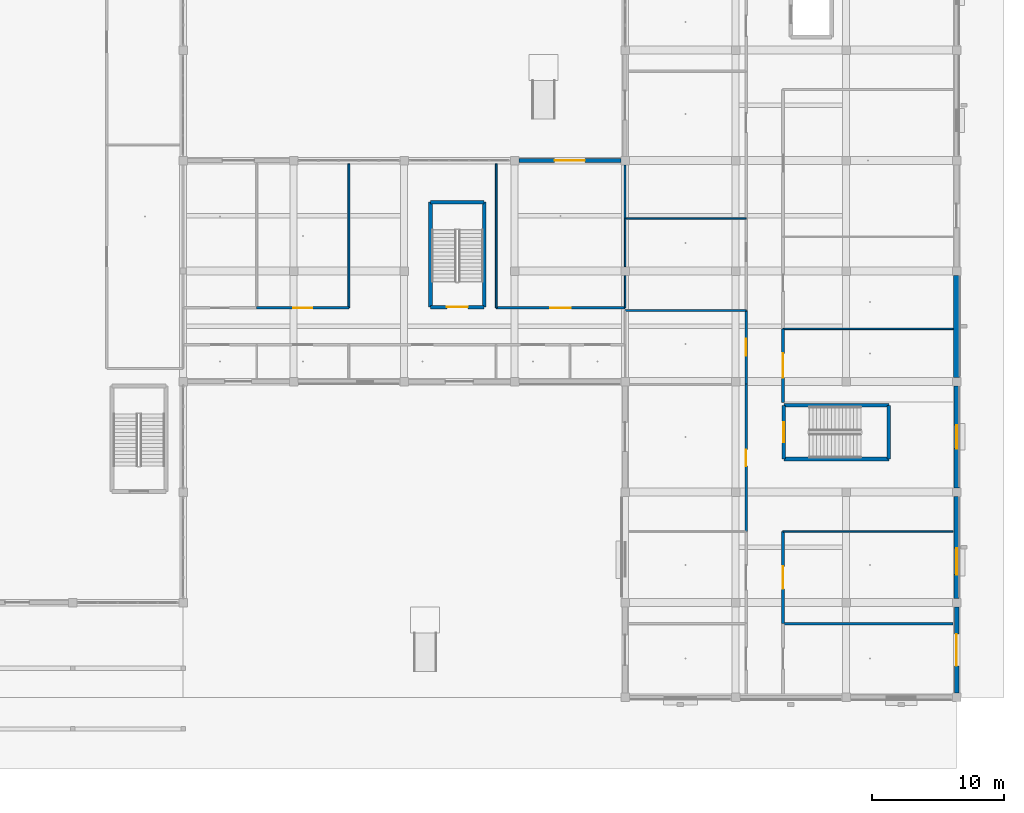
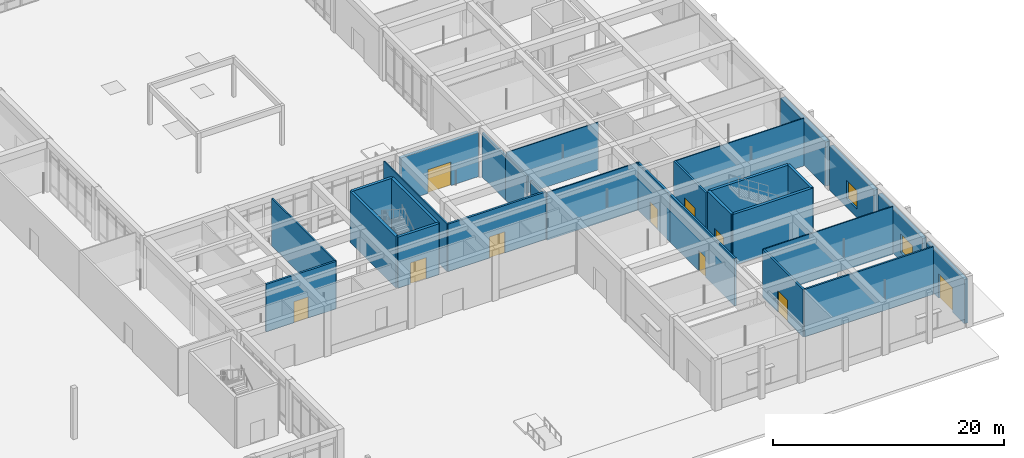
# One storey, part 74 of 167: 29 walls, 10 doors, 2 windows, 12 openings.
"""IFC4 building model written with IfcOpenShell, lengths in metres."""

import ifcopenshell
import ifcopenshell.guid

model = None  # the IFC model being written
_history = None  # IfcOwnerHistory: only IFC2X3 demands one
_inside = {}  # id of a spatial element -> (the spatial element, [elements in it])
_under = {}  # id of a project, library or spatial element -> (it, [spatial elements below it])
_declared = {}  # id of a project -> (the project, [libraries it declares])
_typed = {}  # id of a type object -> (the type object, [elements of that type])
_made_of = {}  # id of a material, layer set ... -> (it, [elements and type objects made of it])


def new_model(schema):
    """Start an empty IFC model of exactly this schema.

    Asked for "IFC4X3", IfcOpenShell would pick the latest addendum, in which some entities
    have other attributes; the version numbers below select the first issue.
    IFC2X3 requires an IfcOwnerHistory on every rooted entity: one is made here for all.
    """
    global model, _history
    if schema == "IFC4X3":
        model = ifcopenshell.file(schema_version=(4, 3, 0, 0))
    else:
        model = ifcopenshell.file(schema=schema)
    _inside.clear()
    _under.clear()
    _declared.clear()
    _typed.clear()
    _made_of.clear()
    _history = None
    if model.schema == "IFC2X3":
        org = make("IfcOrganization", Name="unknown")
        user = make(
            "IfcPersonAndOrganization",
            ThePerson=make("IfcPerson", FamilyName="unknown"),
            TheOrganization=org,
        )
        app = make(
            "IfcApplication",
            ApplicationDeveloper=org,
            Version="unknown",
            ApplicationFullName="unknown",
            ApplicationIdentifier="unknown",
        )
        _history = make(
            "IfcOwnerHistory",
            OwningUser=user,
            OwningApplication=app,
            ChangeAction="ADDED",
            CreationDate=0,
        )
    return model


def make(cls, **values):
    """One entity of the class cls with the attributes given. An attribute that is None is left unset."""
    return model.create_entity(
        cls, **{name: value for name, value in values.items() if value is not None}
    )


def rooted(cls, **values):
    """An entity with a GlobalId (a new one), such as an element, a storey or a relation."""
    return make(cls, GlobalId=ifcopenshell.guid.new(), OwnerHistory=_history, **values)


def si_unit(unit_type, name, prefix=None):
    """IfcSIUnit, for example si_unit("LENGTHUNIT", "METRE", prefix="MILLI")."""
    return make("IfcSIUnit", UnitType=unit_type, Prefix=prefix, Name=name)


def assignment(units):
    """IfcUnitAssignment: the units of a project."""
    return None if units is None else make("IfcUnitAssignment", Units=units)


def point(xyz):
    """IfcCartesianPoint."""
    return None if xyz is None else make("IfcCartesianPoint", Coordinates=xyz)


def direction(xyz):
    """IfcDirection."""
    return None if xyz is None else make("IfcDirection", DirectionRatios=xyz)


def frame(location, z_axis=None, x_axis=None):
    """IfcAxis2Placement3D, a coordinate frame: its origin and axes. An axis left out is left unset."""
    return make(
        "IfcAxis2Placement3D",
        Location=point(location),
        Axis=direction(z_axis),
        RefDirection=direction(x_axis),
    )


def frame_2d(location, x_axis=None):
    """IfcAxis2Placement2D, a coordinate frame in the plane: its origin and x axis."""
    return make(
        "IfcAxis2Placement2D", Location=point(location), RefDirection=direction(x_axis)
    )


def origin():
    """The frame at (0, 0, 0) with its axes left unset."""
    return frame((0.0, 0.0, 0.0))


def place(relative_to, where):
    """IfcLocalPlacement: puts the frame where relative to a parent placement (None: the world)."""
    return make(
        "IfcLocalPlacement", PlacementRelTo=relative_to, RelativePlacement=where
    )


def context(
    kind, dimensions, precision=None, world=None, true_north=None, identifier=None
):
    """IfcGeometricRepresentationContext, for example the 3D "Model" context."""
    return make(
        "IfcGeometricRepresentationContext",
        ContextIdentifier=identifier,
        ContextType=kind,
        CoordinateSpaceDimension=dimensions,
        Precision=precision,
        WorldCoordinateSystem=world,
        TrueNorth=true_north,
    )


def subcontext(parent, identifier, kind, view, scale=None):
    """IfcGeometricRepresentationSubContext, for example "Body" below "Model"."""
    return make(
        "IfcGeometricRepresentationSubContext",
        ContextIdentifier=identifier,
        ContextType=kind,
        ParentContext=parent,
        TargetScale=scale,
        TargetView=view,
    )


def project(units=None, contexts=None):
    """IfcProject with its units and contexts."""
    return rooted(
        "IfcProject",
        Name="project",
        RepresentationContexts=contexts,
        UnitsInContext=assignment(units),
    )


def spatial(cls, under=None, at=None, **own):
    """A site, building, storey or space (cls), placed at a placement, below another one or the project."""
    s = rooted(cls, ObjectPlacement=at, **own)
    if under is not None:
        _under.setdefault(under.id(), (under, []))[1].append(s)
    return s


def profile(cls, at=None, kind="AREA", **sizes):
    """A parametric profile (cls). Its sizes go by their IFC names, for example OverallWidth=200.0."""
    return make(cls, ProfileType=kind, Position=at, **sizes)


def rectangle(**sizes):
    """IfcRectangleProfileDef."""
    return profile("IfcRectangleProfileDef", **sizes)


def extrude(swept, where, along, depth):
    """IfcExtrudedAreaSolid: the profile swept, set in the frame where, extruded along a direction by depth."""
    return make(
        "IfcExtrudedAreaSolid",
        SweptArea=swept,
        Position=where,
        ExtrudedDirection=direction(along),
        Depth=depth,
    )


def shape(context_of_items, identifier, shape_type, items):
    """IfcShapeRepresentation: the items that make up one representation, for example the "Body"."""
    return make(
        "IfcShapeRepresentation",
        ContextOfItems=context_of_items,
        RepresentationIdentifier=identifier,
        RepresentationType=shape_type,
        Items=items,
    )


def material(Name=None, Category=None):
    """IfcMaterial."""
    return make("IfcMaterial", Name=Name, Category=Category)


def layer(
    of_material, thickness, ventilated=None, Name=None, Category=None, Priority=None
):
    """IfcMaterialLayer: one layer of a wall or slab, of a material (None: an air gap)."""
    return make(
        "IfcMaterialLayer",
        Material=of_material,
        LayerThickness=thickness,
        IsVentilated=ventilated,
        Name=Name,
        Category=Category,
        Priority=Priority,
    )


def layer_set(layers, Name=None):
    """IfcMaterialLayerSet."""
    return make("IfcMaterialLayerSet", MaterialLayers=layers, LayerSetName=Name)


def made_of(thing, what):
    """Note that an element or type object is made of a material, layer set ...; save() writes the relation."""
    if what is not None:
        _made_of.setdefault(what.id(), (what, []))[1].append(thing)
    return thing


def type_object(cls, material=None, **own):
    """A type object (cls), such as IfcWallType, which elements share."""
    return made_of(rooted(cls, **own), material)


def element(
    cls,
    number,
    at=None,
    inside=None,
    cuts=None,
    type_object=None,
    material=None,
    context=None,
    identifier="Body",
    shape_type=None,
    held_by="IfcProductDefinitionShape",
    body=None,
    shapes=None,
    **own,
):
    """One element of the class cls, such as IfcWall. Its Tag is "e" and its number.

    at: its placement. inside: the storey or other place that contains it. cuts: it is an
    opening in that element (IfcRelVoidsElement). A single representation is given by context,
    identifier, shape_type and body (its items); several are given by shapes. held_by: the class
    of the entity that holds the representations. save() writes the other relations.
    """
    e = rooted(cls, Tag="e%d" % number, ObjectPlacement=at, **own)
    if body is not None:
        shapes = [shape(context, identifier, shape_type, body)]
    if shapes is not None:
        e.Representation = make(held_by, Representations=shapes)
    if inside is not None:
        _inside.setdefault(inside.id(), (inside, []))[1].append(e)
    if cuts is not None:
        rooted(
            "IfcRelVoidsElement", RelatingBuildingElement=cuts, RelatedOpeningElement=e
        )
    if type_object is not None:
        _typed.setdefault(type_object.id(), (type_object, []))[1].append(e)
    return made_of(e, material)


def fill(opening, filler):
    """IfcRelFillsElement: the door or window that sits in an opening."""
    return rooted(
        "IfcRelFillsElement",
        RelatingOpeningElement=opening,
        RelatedBuildingElement=filler,
    )


def aggregate(whole, parts):
    """IfcRelAggregates: a whole, such as a stair, and the parts it consists of."""
    return rooted("IfcRelAggregates", RelatingObject=whole, RelatedObjects=parts)


def save(model, path):
    """Write the relations noted so far, then the file.

    IfcRelAggregates (storeys below a building ...), IfcRelContainedInSpatialStructure (elements
    in a storey), IfcRelDefinesByType, IfcRelAssociatesMaterial and IfcRelDeclares: one each for
    every whole, place, type object, material and project.
    """
    for whole, parts in _under.values():
        aggregate(whole, parts)
    for where, things in _inside.values():
        rooted(
            "IfcRelContainedInSpatialStructure",
            RelatedElements=things,
            RelatingStructure=where,
        )
    for kind, things in _typed.values():
        rooted("IfcRelDefinesByType", RelatedObjects=things, RelatingType=kind)
    for what, things in _made_of.values():
        rooted("IfcRelAssociatesMaterial", RelatedObjects=things, RelatingMaterial=what)
    for by, libraries in _declared.values():
        rooted("IfcRelDeclares", RelatingContext=by, RelatedDefinitions=libraries)
    model.write(path)


model = new_model("IFC4")

# Units and contexts
model_context = context("Model", 3, precision=1e-05, world=origin(), true_north=direction((0.0, 1.0)))
body_context = subcontext(model_context, "Body", "Model", "MODEL_VIEW")
ifc_project = project(units=[si_unit("LENGTHUNIT", "METRE"), si_unit("AREAUNIT", "SQUARE_METRE"), si_unit("VOLUMEUNIT", "CUBIC_METRE"), si_unit("PLANEANGLEUNIT", "RADIAN"), si_unit("MASSUNIT", "GRAM", prefix="KILO")], contexts=[model_context])

# Site, building, storey
site_placement = place(None, origin())
site = spatial("IfcSite", under=ifc_project, at=site_placement, CompositionType="ELEMENT")
building_placement = place(site_placement, origin())
building = spatial("IfcBuilding", under=site, at=building_placement, Name="Varncliffe General Hospital", CompositionType="ELEMENT")
storey_placement = place(building_placement, origin())
storey = spatial("IfcBuildingStorey", under=building, at=storey_placement, Name="L00", CompositionType="ELEMENT", Elevation=0.0)

# Wall, opening, door
ifc_material_1 = material(Name="Precast concrete C40/50 with insulated cream lime-cement stucco", Category="concrete")
ifc_layer_1 = layer(ifc_material_1, 0.31005859375)
ifc_layer_set_1 = layer_set([ifc_layer_1], Name="Precast concrete C40/50 with insulated cream lime-cement stucco")
wall_type_1 = type_object("IfcWallType", Name="Exterior Insulated Stucco Wall EW20 (310mm)", PredefinedType="SOLIDWALL", material=ifc_layer_set_1)
wall_1_placement = place(storey_placement, frame((143.123046875, 40.800048828125, 0.0), z_axis=(0.0, 0.0, 1.0), x_axis=(1.0, 0.0, 0.0)))
wall_1 = element("IfcWall", 1, at=wall_1_placement, inside=storey, type_object=wall_type_1, Name="L00 Exterior Stucco Wall EW20-85", PredefinedType="SOLIDWALL", context=body_context, shape_type="SweptSolid", body=[
    extrude(rectangle(XDim=7.75390625, YDim=0.31005859375, at=frame_2d((3.876953125, 0.0))), origin(), (0.0, 0.0, 1.0), 4.679931640625),
])
opening_1_placement = place(wall_1_placement, frame((2.72705078125, 0.0, 0.0)))
opening_1 = element("IfcOpeningElement", 2, at=opening_1_placement, cuts=wall_1, Name="Opening DE14", PredefinedType="OPENING", context=body_context, shape_type="SweptSolid", body=[
    extrude(rectangle(XDim=2.300048828125, YDim=2.5, at=frame_2d((1.14990234375, 1.25))), frame((0.0, 0.1650390625, 0.0), z_axis=(0.0, -1.0, 0.0), x_axis=(1.0, 0.0, 0.0)), (0.0, 0.0, 1.0), 0.330078125),
])
ifc_material_2 = material(Name="Thermally broken bronze-anodized aluminium and safety glass door", Category="aluminium")
door_type_1 = type_object("IfcDoorType", Name="Exterior Pedestrian Door DE14 (2300x2500)", OperationType="NOTDEFINED", PredefinedType="DOOR", material=ifc_material_2)
door_1_placement = place(opening_1_placement, origin())
door_1 = element("IfcDoor", 3, at=door_1_placement, inside=storey, type_object=door_type_1, Name="Main Pedestrian Entrance and Final Exit Door FE-31", OperationType="DOUBLE_DOOR_SINGLE_SWING", OverallHeight=2.5, OverallWidth=2.300048828125, PredefinedType="DOOR", context=body_context, shape_type="SweptSolid", body=[
    extrude(rectangle(XDim=2.300048828125, YDim=2.5, at=frame_2d((1.14990234375, 1.25))), frame((0.0, 0.02490234375, 0.0), z_axis=(0.0, -1.0, 0.0), x_axis=(1.0, 0.0, 0.0)), (0.0, 0.0, 1.0), 0.050048828125),
])
fill(opening_1, door_1)

# Wall, opening, window
ifc_layer_2 = layer(ifc_material_1, 0.3798828125)
ifc_layer_set_2 = layer_set([ifc_layer_2], Name="Precast concrete C40/50 with insulated cream lime-cement stucco")
wall_type_2 = type_object("IfcWallType", Name="Exterior Insulated Stucco Wall EW26 (380mm)", PredefinedType="SOLIDWALL", material=ifc_layer_set_2)
wall_2_placement = place(storey_placement, frame((176.39990234375, 15.277099609375, 0.0), z_axis=(0.0, 0.0, 1.0), x_axis=(0.0, -1.0, 0.0)))
wall_2 = element("IfcWall", 4, at=wall_2_placement, inside=storey, type_object=wall_type_2, Name="L00 Exterior Stucco Wall EW26-50", PredefinedType="SOLIDWALL", context=body_context, shape_type="SweptSolid", body=[
    extrude(rectangle(XDim=7.754150390625, YDim=0.3798828125, at=frame_2d((3.876953125, 0.0))), origin(), (0.0, 0.0, 1.0), 4.679931640625),
])
opening_2_placement = place(wall_2_placement, frame((3.94482421875, 0.0, 0.89990234375)))
opening_2 = element("IfcOpeningElement", 5, at=opening_2_placement, cuts=wall_2, Name="Opening WN79", PredefinedType="OPENING", context=body_context, shape_type="SweptSolid", body=[
    extrude(rectangle(XDim=2.0, YDim=1.949951171875, at=frame_2d((1.0, 0.97509765625))), frame((0.0, 0.199951171875, 0.0), z_axis=(0.0, -1.0, 0.0), x_axis=(1.0, 0.0, 0.0)), (0.0, 0.0, 1.0), 0.39990234375),
])
ifc_material_3 = material(Name="Triple low-E argon insulated vision glazing", Category="glass")
window_type_1 = type_object("IfcWindowType", Name="Triple-Glazed Hospital Window WN79 (2000x1950)", PartitioningType="DOUBLE_PANEL_VERTICAL", PredefinedType="WINDOW", material=ifc_material_3)
window_1_placement = place(opening_2_placement, origin())
window_1 = element("IfcWindow", 6, at=window_1_placement, inside=storey, type_object=window_type_1, Name="L00 Hospital Window WN79-29", OverallHeight=1.949951171875, OverallWidth=2.0, PartitioningType="DOUBLE_PANEL_VERTICAL", PredefinedType="WINDOW", context=body_context, shape_type="SweptSolid", body=[
    extrude(rectangle(XDim=2.0, YDim=1.949951171875, at=frame_2d((1.0, 0.97509765625))), frame((0.0, 0.030029296875, 0.0), z_axis=(0.0, -1.0, 0.0), x_axis=(1.0, 0.0, 0.0)), (0.0, 0.0, 1.0), 0.06005859375),
])
fill(opening_2, window_1)

# Wall
ifc_material_4 = material(Name="Concrete C40/50 (CSA A23.1 40 MPa)", Category="concrete")
ifc_layer_3 = layer(ifc_material_4, 0.449951171875)
ifc_layer_set_3 = layer_set([ifc_layer_3], Name="Concrete C40/50 (CSA A23.1 40 MPa)")
wall_type_3 = type_object("IfcWallType", Name="Exterior Insulated Stucco Wall EW36 (450mm)", PredefinedType="SOLIDWALL", material=ifc_layer_set_3)
wall_3_placement = place(storey_placement, frame((176.39990234375, 32.076904296875, 0.0), z_axis=(0.0, 0.0, 1.0), x_axis=(0.0, -1.0, 0.0)))
element("IfcWall", 7, at=wall_3_placement, inside=storey, type_object=wall_type_3, Name="L00 Exterior Stucco Wall EW36-48", PredefinedType="SOLIDWALL", context=body_context, shape_type="SweptSolid", body=[
    extrude(rectangle(XDim=7.75390625, YDim=0.449951171875, at=frame_2d((3.876953125, 0.0))), origin(), (0.0, 0.0, 1.0), 4.679931640625),
])

# Wall, opening, door
ifc_layer_4 = layer(ifc_material_1, 0.35009765625)
ifc_layer_set_4 = layer_set([ifc_layer_4], Name="Precast concrete C40/50 with insulated cream lime-cement stucco")
wall_type_4 = type_object("IfcWallType", Name="Exterior Insulated Stucco Wall EW37 (350mm)", PredefinedType="SOLIDWALL", material=ifc_layer_set_4)
wall_4_placement = place(storey_placement, frame((176.39990234375, 6.876953125, 0.0), z_axis=(0.0, 0.0, 1.0), x_axis=(0.0, -1.0, 0.0)))
wall_4 = element("IfcWall", 8, at=wall_4_placement, inside=storey, type_object=wall_type_4, Name="L00 Exterior Stucco Wall EW37-51", PredefinedType="SOLIDWALL", context=body_context, shape_type="SweptSolid", body=[
    extrude(rectangle(XDim=6.553955078125, YDim=0.35009765625, at=frame_2d((3.27685546875, 0.0))), origin(), (0.0, 0.0, 1.0), 4.679931640625),
])
opening_3_placement = place(wall_4_placement, frame((2.076904296875, 0.0, 0.0)))
opening_3 = element("IfcOpeningElement", 9, at=opening_3_placement, cuts=wall_4, Name="Opening DE17", PredefinedType="OPENING", context=body_context, shape_type="SweptSolid", body=[
    extrude(rectangle(XDim=2.39990234375, YDim=2.60009765625, at=frame_2d((1.199951171875, 1.300048828125))), frame((0.0, 0.18505859375, 0.0), z_axis=(0.0, -1.0, 0.0), x_axis=(1.0, 0.0, 0.0)), (0.0, 0.0, 1.0), 0.3701171875),
])
door_type_2 = type_object("IfcDoorType", Name="Exterior Pedestrian Door DE17 (2400x2600)", OperationType="NOTDEFINED", PredefinedType="DOOR", material=ifc_material_2)
door_2_placement = place(opening_3_placement, origin())
door_2 = element("IfcDoor", 10, at=door_2_placement, inside=storey, type_object=door_type_2, Name="Main Pedestrian Entrance and Final Exit Door FE-12", OperationType="DOUBLE_DOOR_SINGLE_SWING", OverallHeight=2.60009765625, OverallWidth=2.39990234375, PredefinedType="DOOR", context=body_context, shape_type="SweptSolid", body=[
    extrude(rectangle(XDim=2.39990234375, YDim=2.60009765625, at=frame_2d((1.199951171875, 1.300048828125))), frame((0.0, 0.02490234375, 0.0), z_axis=(0.0, -1.0, 0.0), x_axis=(1.0, 0.0, 0.0)), (0.0, 0.0, 1.0), 0.050048828125),
])
fill(opening_3, door_2)

# Wall, opening, window
ifc_layer_5 = layer(ifc_material_1, 0.39990234375)
ifc_layer_set_5 = layer_set([ifc_layer_5], Name="Precast concrete C40/50 with insulated cream lime-cement stucco")
wall_type_5 = type_object("IfcWallType", Name="Exterior Insulated Stucco Wall EW47 (400mm)", PredefinedType="SOLIDWALL", material=ifc_layer_set_5)
wall_5_placement = place(storey_placement, frame((176.39990234375, 23.677001953125, 0.0), z_axis=(0.0, 0.0, 1.0), x_axis=(0.0, -1.0, 0.0)))
wall_5 = element("IfcWall", 11, at=wall_5_placement, inside=storey, type_object=wall_type_5, Name="L00 Exterior Stucco Wall EW47-49", PredefinedType="SOLIDWALL", context=body_context, shape_type="SweptSolid", body=[
    extrude(rectangle(XDim=7.75390625, YDim=0.39990234375, at=frame_2d((3.876953125, 0.0))), origin(), (0.0, 0.0, 1.0), 4.679931640625),
])
opening_4_placement = place(wall_5_placement, frame((2.97705078125, 0.0, 0.89990234375)))
opening_4 = element("IfcOpeningElement", 12, at=opening_4_placement, cuts=wall_5, Name="Opening WN78", PredefinedType="OPENING", context=body_context, shape_type="SweptSolid", body=[
    extrude(rectangle(XDim=1.800048828125, YDim=1.949951171875, at=frame_2d((0.89990234375, 0.97509765625))), frame((0.0, 0.2099609375, 0.0), z_axis=(0.0, -1.0, 0.0), x_axis=(1.0, 0.0, 0.0)), (0.0, 0.0, 1.0), 0.419921875),
])
window_type_2 = type_object("IfcWindowType", Name="Triple-Glazed Hospital Window WN78 (1800x1950)", PartitioningType="DOUBLE_PANEL_VERTICAL", PredefinedType="WINDOW", material=ifc_material_3)
window_2_placement = place(opening_4_placement, origin())
window_2 = element("IfcWindow", 13, at=window_2_placement, inside=storey, type_object=window_type_2, Name="L00 Hospital Window WN78-28", OverallHeight=1.949951171875, OverallWidth=1.800048828125, PartitioningType="DOUBLE_PANEL_VERTICAL", PredefinedType="WINDOW", context=body_context, shape_type="SweptSolid", body=[
    extrude(rectangle(XDim=1.800048828125, YDim=1.949951171875, at=frame_2d((0.89990234375, 0.97509765625))), frame((0.0, 0.030029296875, 0.0), z_axis=(0.0, -1.0, 0.0), x_axis=(1.0, 0.0, 0.0)), (0.0, 0.0, 1.0), 0.06005859375),
])
fill(opening_4, window_2)

# Walls
ifc_material_5 = material(Name="Acoustic clinical gypsum stud partition assembly", Category="gypsum")
ifc_layer_6 = layer(ifc_material_5, 0.1298828125)
ifc_layer_set_6 = layer_set([ifc_layer_6], Name="Acoustic clinical gypsum stud partition assembly")
wall_type_6 = type_object("IfcWallType", Name="Interior Partitioning IW11 (130mm)", PredefinedType="PARTITIONING", material=ifc_layer_set_6)
wall_6_placement = place(storey_placement, frame((151.199951171875, 29.39990234375, 0.0), z_axis=(0.0, 0.0, 1.0), x_axis=(1.0, 0.0, 0.0)))
element("IfcWall", 14, at=wall_6_placement, inside=storey, type_object=wall_type_6, Name="L00 Interior Partition Wall IW11-88", PredefinedType="PARTITIONING", context=body_context, shape_type="SweptSolid", body=[
    extrude(rectangle(XDim=9.199951171875, YDim=0.1298828125, at=frame_2d((4.60009765625, 0.0))), origin(), (0.0, 0.0, 1.0), 5.0400390625),
])
wall_7_placement = place(storey_placement, frame((141.39990234375, 29.60009765625, 0.0), z_axis=(0.0, 0.0, 1.0), x_axis=(0.0, 1.0, 0.0)))
element("IfcWall", 15, at=wall_7_placement, inside=storey, type_object=wall_type_6, Name="L00 Interior Partition Wall IW11-378", PredefinedType="PARTITIONING", context=body_context, shape_type="SweptSolid", body=[
    extrude(rectangle(XDim=10.93994140625, YDim=0.1298828125, at=frame_2d((5.469970703125, 0.0))), origin(), (0.0, 0.0, 1.0), 5.0400390625),
])
wall_8_placement = place(storey_placement, frame((151.199951171875, 32.739990234375, 0.0), z_axis=(0.0, 0.0, 1.0), x_axis=(0.0, 1.0, 0.0)))
element("IfcWall", 16, at=wall_8_placement, inside=storey, type_object=wall_type_6, Name="L00 Interior Partition Wall IW11-388", PredefinedType="PARTITIONING", context=body_context, shape_type="SweptSolid", body=[
    extrude(rectangle(XDim=3.659912109375, YDim=0.1298828125, at=frame_2d((1.830078125, 0.0))), origin(), (0.0, 0.0, 1.0), 4.68505859375),
])
wall_9_placement = place(storey_placement, frame((151.199951171875, 29.60009765625, 0.0), z_axis=(0.0, 0.0, 1.0), x_axis=(0.0, 1.0, 0.0)))
element("IfcWall", 17, at=wall_9_placement, inside=storey, type_object=wall_type_6, Name="L00 Interior Partition Wall IW11-389", PredefinedType="PARTITIONING", context=body_context, shape_type="SweptSolid", body=[
    extrude(rectangle(XDim=2.4599609375, YDim=0.1298828125, at=frame_2d((1.22998046875, 0.0))), origin(), (0.0, 0.0, 1.0), 4.68505859375),
])
ifc_layer_7 = layer(ifc_material_5, 0.169921875)
ifc_layer_set_7 = layer_set([ifc_layer_7], Name="Acoustic clinical gypsum stud partition assembly")
wall_type_7 = type_object("IfcWallType", Name="Interior Partitioning IW20 (170mm)", PredefinedType="PARTITIONING", material=ifc_layer_set_7)
wall_10_placement = place(storey_placement, frame((163.199951171875, 5.60009765625, 0.0), z_axis=(0.0, 0.0, 1.0), x_axis=(1.0, 0.0, 0.0)))
element("IfcWall", 18, at=wall_10_placement, inside=storey, type_object=wall_type_7, Name="L00 Interior Partition Wall IW20-70", PredefinedType="PARTITIONING", context=body_context, shape_type="SweptSolid", body=[
    extrude(rectangle(XDim=12.93994140625, YDim=0.169921875, at=frame_2d((6.469970703125, 0.0))), origin(), (0.0, 0.0, 1.0), 5.0400390625),
])
wall_11_placement = place(storey_placement, frame((151.199951171875, 36.39990234375, 0.0), z_axis=(0.0, 0.0, 1.0), x_axis=(0.0, 1.0, 0.0)))
element("IfcWall", 19, at=wall_11_placement, inside=storey, type_object=wall_type_7, Name="L00 Interior Partition Wall IW20-390", PredefinedType="PARTITIONING", context=body_context, shape_type="SweptSolid", body=[
    extrude(rectangle(XDim=4.06005859375, YDim=0.169921875, at=frame_2d((2.030029296875, 0.0))), origin(), (0.0, 0.0, 1.0), 4.68505859375),
])
ifc_layer_8 = layer(ifc_material_5, 0.14990234375)
ifc_layer_set_8 = layer_set([ifc_layer_8], Name="Acoustic clinical gypsum stud partition assembly")
wall_type_8 = type_object("IfcWallType", Name="Interior Partitioning IW35 (150mm)", PredefinedType="PARTITIONING", material=ifc_layer_set_8)
wall_12_placement = place(storey_placement, frame((130.199951171875, 29.60009765625, 0.0), z_axis=(0.0, 0.0, 1.0), x_axis=(0.0, 1.0, 0.0)))
element("IfcWall", 20, at=wall_12_placement, inside=storey, type_object=wall_type_8, Name="L00 Interior Partition Wall IW35-369", PredefinedType="PARTITIONING", context=body_context, shape_type="SweptSolid", body=[
    extrude(rectangle(XDim=10.93994140625, YDim=0.14990234375, at=frame_2d((5.469970703125, 0.0))), origin(), (0.0, 0.0, 1.0), 5.0400390625),
])
ifc_layer_9 = layer(ifc_material_5, 0.110107421875)
ifc_layer_set_9 = layer_set([ifc_layer_9], Name="Acoustic clinical gypsum stud partition assembly")
wall_type_9 = type_object("IfcWallType", Name="Interior Partitioning IW65 (110mm)", PredefinedType="PARTITIONING", material=ifc_layer_set_9)
for number, where, z_axis, x_axis, name in (
    (21, (163.199951171875, 12.60009765625, 0.0), (0.0, 0.0, 1.0), (1.0, 0.0, 0.0), "L00 Interior Partition Wall IW65-72"),
    (22, (163.199951171875, 28.0, 0.0), (0.0, 0.0, 1.0), (1.0, 0.0, 0.0), "L00 Interior Partition Wall IW65-87"),
):
    element("IfcWall", number, at=place(storey_placement, frame(where, z_axis=z_axis, x_axis=x_axis)), inside=storey, type_object=wall_type_9, Name=name, PredefinedType="PARTITIONING", context=body_context, shape_type="SweptSolid", body=[
        extrude(rectangle(XDim=12.93994140625, YDim=0.110107421875, at=frame_2d((6.469970703125, 0.0))), origin(), (0.0, 0.0, 1.0), 5.0400390625),
    ])
wall_13_placement = place(storey_placement, frame((151.199951171875, 36.39990234375, 0.0), z_axis=(0.0, 0.0, 1.0), x_axis=(1.0, 0.0, 0.0)))
element("IfcWall", 23, at=wall_13_placement, inside=storey, type_object=wall_type_9, Name="L00 Interior Partition Wall IW65-97", PredefinedType="PARTITIONING", context=body_context, shape_type="SweptSolid", body=[
    extrude(rectangle(XDim=9.199951171875, YDim=0.110107421875, at=frame_2d((4.60009765625, 0.0))), origin(), (0.0, 0.0, 1.0), 5.0400390625),
])

# Wall, opening, door
ifc_material_6 = material(Name="Fire-rated gypsum and mineral-wool partition assembly", Category="gypsum")
ifc_layer_10 = layer(ifc_material_6, 0.199951171875)
ifc_layer_set_10 = layer_set([ifc_layer_10], Name="Fire-rated gypsum and mineral-wool partition assembly")
wall_type_10 = type_object("IfcWallType", Name="Interior Partitioning PW63 (200mm)", PredefinedType="PARTITIONING", material=ifc_layer_set_10)
wall_14_placement = place(storey_placement, frame((123.199951171875, 29.60009765625, 0.0), z_axis=(0.0, 0.0, 1.0), x_axis=(1.0, 0.0, 0.0)))
wall_14 = element("IfcWall", 24, at=wall_14_placement, inside=storey, type_object=wall_type_10, Name="L00 Interior Partition Wall PW63-92", PredefinedType="PARTITIONING", context=body_context, shape_type="SweptSolid", body=[
    extrude(rectangle(XDim=7.0, YDim=0.199951171875, at=frame_2d((3.5, 0.0))), origin(), (0.0, 0.0, 1.0), 5.0400390625),
])
opening_5_placement = place(wall_14_placement, frame((2.77490234375, 0.0, 0.0)))
opening_5 = element("IfcOpeningElement", 25, at=opening_5_placement, cuts=wall_14, Name="Opening DC66", PredefinedType="OPENING", context=body_context, shape_type="SweptSolid", body=[
    extrude(rectangle(XDim=1.449951171875, YDim=2.25, at=frame_2d((0.72509765625, 1.125))), frame((0.0, 0.10986328125, 0.0), z_axis=(0.0, -1.0, 0.0), x_axis=(1.0, 0.0, 0.0)), (0.0, 0.0, 1.0), 0.219970703125),
])
ifc_material_7 = material(Name="Fire-rated hospital steel-frame vision-panel door", Category="steel")
door_type_3 = type_object("IfcDoorType", Name="Interior Hospital Door DC66 (1450x2250)", OperationType="NOTDEFINED", PredefinedType="DOOR", material=ifc_material_7)
door_3_placement = place(opening_5_placement, origin())
door_3 = element("IfcDoor", 26, at=door_3_placement, inside=storey, type_object=door_type_3, Name="L00 Orthopaedic Fracture Cast Clinic 107 Door", OperationType="SINGLE_SWING_RIGHT", OverallHeight=2.25, OverallWidth=1.449951171875, PredefinedType="DOOR", context=body_context, shape_type="SweptSolid", body=[
    extrude(rectangle(XDim=1.449951171875, YDim=2.25, at=frame_2d((0.72509765625, 1.125))), frame((0.0, 0.02490234375, 0.0), z_axis=(0.0, -1.0, 0.0), x_axis=(1.0, 0.0, 0.0)), (0.0, 0.0, 1.0), 0.050048828125),
])
fill(opening_5, door_3)

wall_15_placement = place(storey_placement, frame((141.39990234375, 29.60009765625, 0.0), z_axis=(0.0, 0.0, 1.0), x_axis=(1.0, 0.0, 0.0)))
wall_15 = element("IfcWall", 27, at=wall_15_placement, inside=storey, type_object=wall_type_10, Name="L00 Interior Partition Wall PW63-93", PredefinedType="PARTITIONING", context=body_context, shape_type="SweptSolid", body=[
    extrude(rectangle(XDim=9.800048828125, YDim=0.199951171875, at=frame_2d((4.89990234375, 0.0))), origin(), (0.0, 0.0, 1.0), 5.0400390625),
])
opening_6_placement = place(wall_15_placement, frame((4.125, 0.0, 0.0)))
opening_6 = element("IfcOpeningElement", 28, at=opening_6_placement, cuts=wall_15, Name="Opening DC67", PredefinedType="OPENING", context=body_context, shape_type="SweptSolid", body=[
    extrude(rectangle(XDim=1.550048828125, YDim=2.25, at=frame_2d((0.77490234375, 1.125))), frame((0.0, 0.10986328125, 0.0), z_axis=(0.0, -1.0, 0.0), x_axis=(1.0, 0.0, 0.0)), (0.0, 0.0, 1.0), 0.219970703125),
])
door_type_4 = type_object("IfcDoorType", Name="Interior Hospital Door DC67 (1550x2250)", OperationType="NOTDEFINED", PredefinedType="DOOR", material=ifc_material_7)
door_4_placement = place(opening_6_placement, origin())
door_4 = element("IfcDoor", 29, at=door_4_placement, inside=storey, type_object=door_type_4, Name="L00 Orthopaedic Fracture Cast Clinic 108 Door", OperationType="SINGLE_SWING_LEFT", OverallHeight=2.25, OverallWidth=1.550048828125, PredefinedType="DOOR", context=body_context, shape_type="SweptSolid", body=[
    extrude(rectangle(XDim=1.550048828125, YDim=2.25, at=frame_2d((0.77490234375, 1.125))), frame((0.0, 0.02490234375, 0.0), z_axis=(0.0, -1.0, 0.0), x_axis=(1.0, 0.0, 0.0)), (0.0, 0.0, 1.0), 0.050048828125),
])
fill(opening_6, door_4)

wall_16_placement = place(storey_placement, frame((160.39990234375, 12.60009765625, 0.0), z_axis=(0.0, 0.0, 1.0), x_axis=(0.0, 1.0, 0.0)))
wall_16 = element("IfcWall", 30, at=wall_16_placement, inside=storey, type_object=wall_type_10, Name="L00 Interior Partition Wall PW63-401", PredefinedType="PARTITIONING", context=body_context, shape_type="SweptSolid", body=[
    extrude(rectangle(XDim=11.199951171875, YDim=0.199951171875, at=frame_2d((5.60009765625, 0.0))), origin(), (0.0, 0.0, 1.0), 5.0400390625),
])
opening_7_placement = place(wall_16_placement, frame((4.97509765625, 0.0, 0.0)))
opening_7 = element("IfcOpeningElement", 31, at=opening_7_placement, cuts=wall_16, Name="Opening DC44", PredefinedType="OPENING", context=body_context, shape_type="SweptSolid", body=[
    extrude(rectangle(XDim=1.25, YDim=2.14990234375, at=frame_2d((0.625, 1.074951171875))), frame((0.0, 0.10986328125, 0.0), z_axis=(0.0, -1.0, 0.0), x_axis=(1.0, 0.0, 0.0)), (0.0, 0.0, 1.0), 0.219970703125),
])
door_type_5 = type_object("IfcDoorType", Name="Interior Hospital Door DC44 (1250x2150)", OperationType="NOTDEFINED", PredefinedType="DOOR", material=ifc_material_7)
door_5_placement = place(opening_7_placement, origin())
door_5 = element("IfcDoor", 32, at=door_5_placement, inside=storey, type_object=door_type_5, Name="L00 Physical Rehabilitation Therapy Gym 90 Door", OperationType="SINGLE_SWING_RIGHT", OverallHeight=2.14990234375, OverallWidth=1.25, PredefinedType="DOOR", context=body_context, shape_type="SweptSolid", body=[
    extrude(rectangle(XDim=1.25, YDim=2.14990234375, at=frame_2d((0.625, 1.074951171875))), frame((0.0, 0.02490234375, 0.0), z_axis=(0.0, -1.0, 0.0), x_axis=(1.0, 0.0, 0.0)), (0.0, 0.0, 1.0), 0.050048828125),
])
fill(opening_7, door_5)

wall_17_placement = place(storey_placement, frame((160.39990234375, 23.800048828125, 0.0), z_axis=(0.0, 0.0, 1.0), x_axis=(0.0, 1.0, 0.0)))
wall_17 = element("IfcWall", 33, at=wall_17_placement, inside=storey, type_object=wall_type_10, Name="L00 Interior Partition Wall PW63-402", PredefinedType="PARTITIONING", context=body_context, shape_type="SweptSolid", body=[
    extrude(rectangle(XDim=5.599853515625, YDim=0.199951171875, at=frame_2d((2.7998046875, 0.0))), origin(), (0.0, 0.0, 1.0), 5.0400390625),
])
opening_8_placement = place(wall_17_placement, frame((2.14990234375, 0.0, 0.0)))
opening_8 = element("IfcOpeningElement", 34, at=opening_8_placement, cuts=wall_17, Name="Opening DC88", PredefinedType="OPENING", context=body_context, shape_type="SweptSolid", body=[
    extrude(rectangle(XDim=1.300048828125, YDim=2.199951171875, at=frame_2d((0.64990234375, 1.10009765625))), frame((0.0, 0.10986328125, 0.0), z_axis=(0.0, -1.0, 0.0), x_axis=(1.0, 0.0, 0.0)), (0.0, 0.0, 1.0), 0.219970703125),
])
door_type_6 = type_object("IfcDoorType", Name="Interior Hospital Door DC88 (1300x2200)", OperationType="NOTDEFINED", PredefinedType="DOOR", material=ifc_material_7)
door_6_placement = place(opening_8_placement, origin())
door_6 = element("IfcDoor", 35, at=door_6_placement, inside=storey, type_object=door_type_6, Name="L00 Outpatient Consultation and Exam Clinic 91 Door", OperationType="SINGLE_SWING_LEFT", OverallHeight=2.199951171875, OverallWidth=1.300048828125, PredefinedType="DOOR", context=body_context, shape_type="SweptSolid", body=[
    extrude(rectangle(XDim=1.300048828125, YDim=2.199951171875, at=frame_2d((0.64990234375, 1.10009765625))), frame((0.0, 0.02490234375, 0.0), z_axis=(0.0, -1.0, 0.0), x_axis=(1.0, 0.0, 0.0)), (0.0, 0.0, 1.0), 0.050048828125),
])
fill(opening_8, door_6)

wall_18_placement = place(storey_placement, frame((163.199951171875, 5.60009765625, 0.0), z_axis=(0.0, 0.0, 1.0), x_axis=(0.0, 1.0, 0.0)))
wall_18 = element("IfcWall", 36, at=wall_18_placement, inside=storey, type_object=wall_type_10, Name="L00 Interior Partition Wall PW63-413", PredefinedType="PARTITIONING", context=body_context, shape_type="SweptSolid", body=[
    extrude(rectangle(XDim=7.0, YDim=0.199951171875, at=frame_2d((3.5, 0.0))), origin(), (0.0, 0.0, 1.0), 5.0400390625),
])
opening_9_placement = place(wall_18_placement, frame((2.64990234375, 0.0, 0.0)))
opening_9 = element("IfcOpeningElement", 37, at=opening_9_placement, cuts=wall_18, Name="Opening DC50", PredefinedType="OPENING", context=body_context, shape_type="SweptSolid", body=[
    extrude(rectangle(XDim=1.699951171875, YDim=2.300048828125, at=frame_2d((0.85009765625, 1.14990234375))), frame((0.0, 0.10986328125, 0.0), z_axis=(0.0, -1.0, 0.0), x_axis=(1.0, 0.0, 0.0)), (0.0, 0.0, 1.0), 0.219970703125),
])
door_type_7 = type_object("IfcDoorType", Name="Interior Hospital Door DC50 (1700x2300)", OperationType="NOTDEFINED", PredefinedType="DOOR", material=ifc_material_7)
door_7_placement = place(opening_9_placement, frame((1.699951171875, 0.0, 0.0), z_axis=(0.0, 0.0, 1.0), x_axis=(-1.0, 0.0, 0.0)))
door_7 = element("IfcDoor", 38, at=door_7_placement, inside=storey, type_object=door_type_7, Name="L00 Orthopaedic Fracture Cast Clinic 100 Door", OperationType="SINGLE_SWING_RIGHT", OverallHeight=2.300048828125, OverallWidth=1.699951171875, PredefinedType="DOOR", context=body_context, shape_type="SweptSolid", body=[
    extrude(rectangle(XDim=1.699951171875, YDim=2.300048828125, at=frame_2d((0.85009765625, 1.14990234375))), frame((0.0, 0.02490234375, 0.0), z_axis=(0.0, -1.0, 0.0), x_axis=(1.0, 0.0, 0.0)), (0.0, 0.0, 1.0), 0.050048828125),
])
fill(opening_9, door_7)

wall_19_placement = place(storey_placement, frame((163.199951171875, 22.422119140625, 0.0), z_axis=(0.0, 0.0, 1.0), x_axis=(0.0, 1.0, 0.0)))
wall_19 = element("IfcWall", 39, at=wall_19_placement, inside=storey, type_object=wall_type_10, Name="L00 Interior Partition Wall PW63-414", PredefinedType="PARTITIONING", context=body_context, shape_type="SweptSolid", body=[
    extrude(rectangle(XDim=5.577880859375, YDim=0.199951171875, at=frame_2d((2.7890625, 0.0))), origin(), (0.0, 0.0, 1.0), 5.0400390625),
])
opening_10_placement = place(wall_19_placement, frame((1.864013671875, 0.0, 0.0)))
opening_10 = element("IfcOpeningElement", 40, at=opening_10_placement, cuts=wall_19, Name="Opening DC38", PredefinedType="OPENING", context=body_context, shape_type="SweptSolid", body=[
    extrude(rectangle(XDim=1.85009765625, YDim=2.300048828125, at=frame_2d((0.925048828125, 1.14990234375))), frame((0.0, 0.10986328125, 0.0), z_axis=(0.0, -1.0, 0.0), x_axis=(1.0, 0.0, 0.0)), (0.0, 0.0, 1.0), 0.219970703125),
])
door_type_8 = type_object("IfcDoorType", Name="Interior Hospital Door DC38 (1850x2300)", OperationType="NOTDEFINED", PredefinedType="DOOR", material=ifc_material_7)
door_8_placement = place(opening_10_placement, frame((1.85009765625, 0.0, 0.0), z_axis=(0.0, 0.0, 1.0), x_axis=(-1.0, 0.0, 0.0)))
door_8 = element("IfcDoor", 41, at=door_8_placement, inside=storey, type_object=door_type_8, Name="L00 Outpatient Consultation and Exam Clinic 101 Door", OperationType="SINGLE_SWING_LEFT", OverallHeight=2.300048828125, OverallWidth=1.85009765625, PredefinedType="DOOR", context=body_context, shape_type="SweptSolid", body=[
    extrude(rectangle(XDim=1.85009765625, YDim=2.300048828125, at=frame_2d((0.925048828125, 1.14990234375))), frame((0.0, 0.02490234375, 0.0), z_axis=(0.0, -1.0, 0.0), x_axis=(1.0, 0.0, 0.0)), (0.0, 0.0, 1.0), 0.050048828125),
])
fill(opening_10, door_8)

# Walls
ifc_layer_11 = layer(ifc_material_4, 0.280029296875)
ifc_layer_set_11 = layer_set([ifc_layer_11], Name="Concrete C40/50 (CSA A23.1 40 MPa)")
wall_type_11 = type_object("IfcWallType", Name="Reinforced Concrete Core Shear Wall CW13 (280mm)", PredefinedType="SHEAR", material=ifc_layer_set_11)
wall_20_placement = place(storey_placement, frame((163.260009765625, 18.110107421875, 0.0), z_axis=(0.0, 0.0, 1.0), x_axis=(1.0, 0.0, 0.0)))
element("IfcWall", 42, at=wall_20_placement, inside=storey, type_object=wall_type_11, Name="L00 ST11 Core Shear Wall L", PredefinedType="SHEAR", context=body_context, shape_type="SweptSolid", body=[
    extrude(rectangle(XDim=7.97998046875, YDim=0.280029296875, at=frame_2d((3.989990234375, 0.0))), origin(), (0.0, 0.0, 1.0), 5.39990234375),
])
wall_21_placement = place(storey_placement, frame((171.239990234375, 18.110107421875, 0.0), z_axis=(0.0, 0.0, 1.0), x_axis=(0.0, 1.0, 0.0)))
element("IfcWall", 43, at=wall_21_placement, inside=storey, type_object=wall_type_11, Name="L00 ST11 Core Shear Wall F", PredefinedType="SHEAR", context=body_context, shape_type="SweptSolid", body=[
    extrude(rectangle(XDim=4.079833984375, YDim=0.280029296875, at=frame_2d((2.0400390625, 0.0))), origin(), (0.0, 0.0, 1.0), 5.39990234375),
])
wall_22_placement = place(storey_placement, frame((171.239990234375, 22.18994140625, 0.0), z_axis=(0.0, 0.0, 1.0), x_axis=(-1.0, 0.0, 0.0)))
element("IfcWall", 44, at=wall_22_placement, inside=storey, type_object=wall_type_11, Name="L00 ST11 Core Shear Wall R", PredefinedType="SHEAR", context=body_context, shape_type="SweptSolid", body=[
    extrude(rectangle(XDim=7.97998046875, YDim=0.280029296875, at=frame_2d((3.989990234375, 0.0))), origin(), (0.0, 0.0, 1.0), 5.39990234375),
])

# Wall, opening, door
wall_23_placement = place(storey_placement, frame((163.260009765625, 22.18994140625, 0.0), z_axis=(0.0, 0.0, 1.0), x_axis=(0.0, -1.0, 0.0)))
wall_23 = element("IfcWall", 45, at=wall_23_placement, inside=storey, type_object=wall_type_11, Name="L00 ST11 Core Shear Wall N", PredefinedType="SHEAR", context=body_context, shape_type="SweptSolid", body=[
    extrude(rectangle(XDim=4.079833984375, YDim=0.280029296875, at=frame_2d((2.0400390625, 0.0))), origin(), (0.0, 0.0, 1.0), 5.39990234375),
])
opening_11_placement = place(wall_23_placement, frame((1.2900390625, 0.0, 0.0)))
opening_11 = element("IfcOpeningElement", 46, at=opening_11_placement, cuts=wall_23, Name="Opening DF28", PredefinedType="OPENING", context=body_context, shape_type="SweptSolid", body=[
    extrude(rectangle(XDim=1.5, YDim=2.199951171875, at=frame_2d((0.75, 1.10009765625))), frame((0.0, 0.14990234375, 0.0), z_axis=(0.0, -1.0, 0.0), x_axis=(1.0, 0.0, 0.0)), (0.0, 0.0, 1.0), 0.300048828125),
])
door_type_9 = type_object("IfcDoorType", Name="Interior Hospital Door DF28 (1500x2200)", OperationType="NOTDEFINED", PredefinedType="DOOR", material=ifc_material_7)
door_9_placement = place(opening_11_placement, origin())
door_9 = element("IfcDoor", 47, at=door_9_placement, inside=storey, type_object=door_type_9, Name="L00 ST11 Protected Exit Stair Door", OperationType="SINGLE_SWING_RIGHT", OverallHeight=2.199951171875, OverallWidth=1.5, PredefinedType="DOOR", context=body_context, shape_type="SweptSolid", body=[
    extrude(rectangle(XDim=1.5, YDim=2.199951171875, at=frame_2d((0.75, 1.10009765625))), frame((0.0, 0.02490234375, 0.0), z_axis=(0.0, -1.0, 0.0), x_axis=(1.0, 0.0, 0.0)), (0.0, 0.0, 1.0), 0.050048828125),
])
fill(opening_11, door_9)

# Walls
wall_24_placement = place(storey_placement, frame((140.489990234375, 29.659912109375, 0.0), z_axis=(0.0, 0.0, 1.0), x_axis=(0.0, 1.0, 0.0)))
element("IfcWall", 48, at=wall_24_placement, inside=storey, type_object=wall_type_11, Name="L00 ST15 Core Shear Wall L", PredefinedType="SHEAR", context=body_context, shape_type="SweptSolid", body=[
    extrude(rectangle(XDim=7.97998046875, YDim=0.280029296875, at=frame_2d((3.989990234375, 0.0))), origin(), (0.0, 0.0, 1.0), 5.39990234375),
])
wall_25_placement = place(storey_placement, frame((140.489990234375, 37.639892578125, 0.0), z_axis=(0.0, 0.0, 1.0), x_axis=(-1.0, 0.0, 0.0)))
element("IfcWall", 49, at=wall_25_placement, inside=storey, type_object=wall_type_11, Name="L00 ST15 Core Shear Wall F", PredefinedType="SHEAR", context=body_context, shape_type="SweptSolid", body=[
    extrude(rectangle(XDim=4.080078125, YDim=0.280029296875, at=frame_2d((2.0400390625, 0.0))), origin(), (0.0, 0.0, 1.0), 5.39990234375),
])
wall_26_placement = place(storey_placement, frame((136.409912109375, 37.639892578125, 0.0), z_axis=(0.0, 0.0, 1.0), x_axis=(0.0, -1.0, 0.0)))
element("IfcWall", 50, at=wall_26_placement, inside=storey, type_object=wall_type_11, Name="L00 ST15 Core Shear Wall R", PredefinedType="SHEAR", context=body_context, shape_type="SweptSolid", body=[
    extrude(rectangle(XDim=7.97998046875, YDim=0.280029296875, at=frame_2d((3.989990234375, 0.0))), origin(), (0.0, 0.0, 1.0), 5.39990234375),
])

# Wall, opening, door
wall_27_placement = place(storey_placement, frame((136.409912109375, 29.659912109375, 0.0), z_axis=(0.0, 0.0, 1.0), x_axis=(1.0, 0.0, 0.0)))
wall_27 = element("IfcWall", 51, at=wall_27_placement, inside=storey, type_object=wall_type_11, Name="L00 ST15 Core Shear Wall N", PredefinedType="SHEAR", context=body_context, shape_type="SweptSolid", body=[
    extrude(rectangle(XDim=4.080078125, YDim=0.280029296875, at=frame_2d((2.0400390625, 0.0))), origin(), (0.0, 0.0, 1.0), 5.39990234375),
])
opening_12_placement = place(wall_27_placement, frame((1.239990234375, 0.0, 0.0)))
opening_12 = element("IfcOpeningElement", 52, at=opening_12_placement, cuts=wall_27, Name="Opening DF27", PredefinedType="OPENING", context=body_context, shape_type="SweptSolid", body=[
    extrude(rectangle(XDim=1.60009765625, YDim=2.25, at=frame_2d((0.800048828125, 1.125))), frame((0.0, 0.14990234375, 0.0), z_axis=(0.0, -1.0, 0.0), x_axis=(1.0, 0.0, 0.0)), (0.0, 0.0, 1.0), 0.300048828125),
])
door_type_10 = type_object("IfcDoorType", Name="Interior Hospital Door DF27 (1600x2250)", OperationType="NOTDEFINED", PredefinedType="DOOR", material=ifc_material_7)
door_10_placement = place(opening_12_placement, origin())
door_10 = element("IfcDoor", 53, at=door_10_placement, inside=storey, type_object=door_type_10, Name="L00 ST15 Protected Exit Stair Door", OperationType="SINGLE_SWING_RIGHT", OverallHeight=2.25, OverallWidth=1.60009765625, PredefinedType="DOOR", context=body_context, shape_type="SweptSolid", body=[
    extrude(rectangle(XDim=1.60009765625, YDim=2.25, at=frame_2d((0.800048828125, 1.125))), frame((0.0, 0.02490234375, 0.0), z_axis=(0.0, -1.0, 0.0), x_axis=(1.0, 0.0, 0.0)), (0.0, 0.0, 1.0), 0.050048828125),
])
fill(opening_12, door_10)

save(model, "model.ifc")
